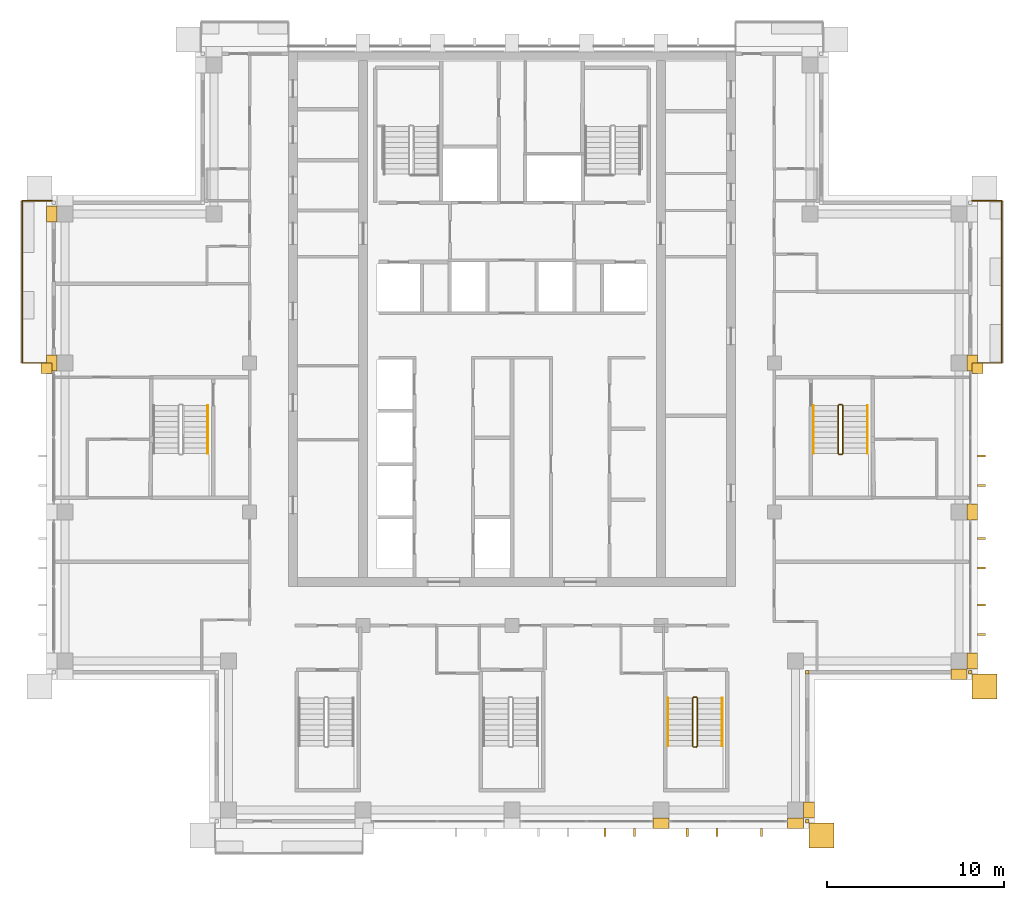
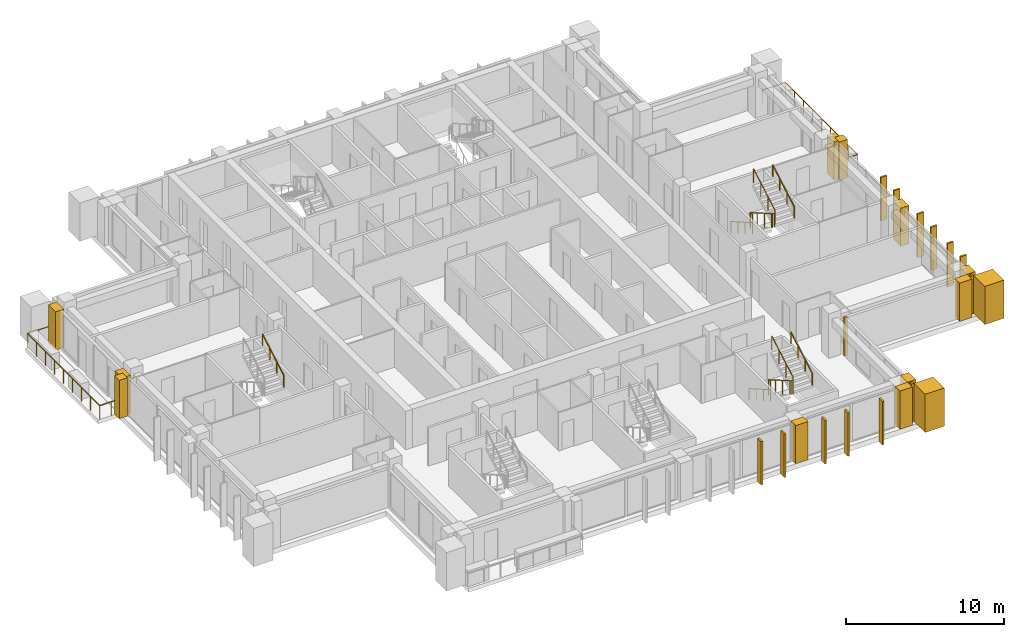
# One storey, part 16 of 18: 27 coverings, 9 railings.
"""IFC4 building model written with IfcOpenShell, lengths in metres."""

from ifc_helpers import new_model, si_unit, direction, frame, origin, origin_2d, place, context, subcontext, project, spatial, polyline, rectangle, outline, extrude, material, layer, layer_set, type_object, element, save


model = new_model("IFC4")

# Units and contexts
model_context = context("Model", 3, precision=1e-05, world=origin(), true_north=direction((0.0, 1.0)))
body_context = subcontext(model_context, "Body", "Model", "MODEL_VIEW")
ifc_project = project(units=[si_unit("LENGTHUNIT", "METRE"), si_unit("AREAUNIT", "SQUARE_METRE"), si_unit("VOLUMEUNIT", "CUBIC_METRE"), si_unit("PLANEANGLEUNIT", "RADIAN"), si_unit("MASSUNIT", "GRAM", prefix="KILO")], contexts=[model_context])

# Site, building, storey
site_placement = place(None, origin())
site = spatial("IfcSite", under=ifc_project, at=site_placement, CompositionType="ELEMENT")
building_placement = place(site_placement, origin())
building = spatial("IfcBuilding", under=site, at=building_placement, Name="Vermilion Ogive Tower", CompositionType="ELEMENT")
storey_placement = place(building_placement, frame((0.0, 0.0, 261.39990234375)))
storey = spatial("IfcBuildingStorey", under=building, at=storey_placement, Name="L69", CompositionType="ELEMENT", Elevation=261.39990234375)

# Railings
ifc_material_1 = material(Name="Stainless steel and glass", Category="steel")
railing_type_1 = type_object("IfcRailingType", Name="Balcony guard", PredefinedType="GUARDRAIL", material=ifc_material_1)
railing_1_placement = place(storey_placement, frame((25.949951171875, 4.199951171875, -0.039794921875)))
element("IfcRailing", 1, at=railing_1_placement, inside=storey, type_object=railing_type_1, Name="Guard E03", PredefinedType="GUARDRAIL", context=body_context, shape_type="SweptSolid", body=[
    extrude(rectangle(XDim=0.048095703125, YDim=0.048095703125, at=origin_2d()), frame((0.0, 0.0, 1.076171875), z_axis=(1.0, 0.0, 0.0), x_axis=(0.0, 1.0, 0.0)), (0.0, 0.0, 1.0), 1.677978515625),
    extrude(rectangle(XDim=0.048095703125, YDim=0.048095703125, at=origin_2d()), frame((1.677978515625, 0.0, 1.076171875), z_axis=(0.0, 1.0, 0.0), x_axis=(-1.0, 0.0, 0.0)), (0.0, 0.0, 1.0), 9.150146484375),
    extrude(rectangle(XDim=0.048095703125, YDim=0.048095703125, at=origin_2d()), frame((1.677978515625, 9.150146484375, 1.076171875), z_axis=(-1.0, 0.0, 0.0), x_axis=(0.0, -1.0, 0.0)), (0.0, 0.0, 1.0), 1.677978515625),
    extrude(rectangle(XDim=0.0419921875, YDim=0.0419921875, at=origin_2d()), origin(), (0.0, 0.0, 1.0), 1.052001953125),
    extrude(rectangle(XDim=0.0419921875, YDim=0.0419921875, at=origin_2d()), frame((0.8388671875, 0.0, 0.0)), (0.0, 0.0, 1.0), 1.052001953125),
    extrude(rectangle(XDim=0.0419921875, YDim=0.0419921875, at=origin_2d()), frame((1.677978515625, 0.0, 0.0)), (0.0, 0.0, 1.0), 1.052001953125),
    extrude(rectangle(XDim=0.0419921875, YDim=0.0419921875, at=origin_2d()), frame((1.677978515625, 1.143798828125, 0.0)), (0.0, 0.0, 1.0), 1.052001953125),
    extrude(rectangle(XDim=0.0419921875, YDim=0.0419921875, at=origin_2d()), frame((1.677978515625, 2.28759765625, 0.0)), (0.0, 0.0, 1.0), 1.052001953125),
    extrude(rectangle(XDim=0.0419921875, YDim=0.0419921875, at=origin_2d()), frame((1.677978515625, 3.431396484375, 0.0)), (0.0, 0.0, 1.0), 1.052001953125),
    extrude(rectangle(XDim=0.0419921875, YDim=0.0419921875, at=origin_2d()), frame((1.677978515625, 4.5751953125, 0.0)), (0.0, 0.0, 1.0), 1.052001953125),
    extrude(rectangle(XDim=0.0419921875, YDim=0.0419921875, at=origin_2d()), frame((1.677978515625, 5.71875, 0.0)), (0.0, 0.0, 1.0), 1.052001953125),
    extrude(rectangle(XDim=0.0419921875, YDim=0.0419921875, at=origin_2d()), frame((1.677978515625, 6.862548828125, 0.0)), (0.0, 0.0, 1.0), 1.052001953125),
    extrude(rectangle(XDim=0.0419921875, YDim=0.0419921875, at=origin_2d()), frame((1.677978515625, 8.00634765625, 0.0)), (0.0, 0.0, 1.0), 1.052001953125),
    extrude(rectangle(XDim=0.0419921875, YDim=0.0419921875, at=origin_2d()), frame((1.677978515625, 9.150146484375, 0.0)), (0.0, 0.0, 1.0), 1.052001953125),
    extrude(rectangle(XDim=0.0419921875, YDim=0.0419921875, at=origin_2d()), frame((0.8388671875, 9.150146484375, 0.0)), (0.0, 0.0, 1.0), 1.052001953125),
    extrude(rectangle(XDim=0.0419921875, YDim=0.0419921875, at=origin_2d()), frame((0.0, 9.150146484375, 0.0)), (0.0, 0.0, 1.0), 1.052001953125),
])
railing_2_placement = place(storey_placement, frame((-25.949951171875, 13.35009765625, -0.039794921875)))
element("IfcRailing", 2, at=railing_2_placement, inside=storey, type_object=railing_type_1, Name="Guard W01", PredefinedType="GUARDRAIL", context=body_context, shape_type="SweptSolid", body=[
    extrude(rectangle(XDim=0.048095703125, YDim=0.048095703125, at=origin_2d()), frame((0.0, 0.0, 1.076171875), z_axis=(-1.0, 0.0, 0.0), x_axis=(0.0, -1.0, 0.0)), (0.0, 0.0, 1.0), 1.677978515625),
    extrude(rectangle(XDim=0.048095703125, YDim=0.048095703125, at=origin_2d()), frame((-1.677978515625, 0.0, 1.076171875), z_axis=(0.0, -1.0, 0.0), x_axis=(1.0, 0.0, 0.0)), (0.0, 0.0, 1.0), 9.150146484375),
    extrude(rectangle(XDim=0.048095703125, YDim=0.048095703125, at=origin_2d()), frame((-1.677978515625, -9.150146484375, 1.076171875), z_axis=(1.0, 0.0, 0.0), x_axis=(0.0, 1.0, 0.0)), (0.0, 0.0, 1.0), 1.677978515625),
    extrude(rectangle(XDim=0.0419921875, YDim=0.0419921875, at=origin_2d()), origin(), (0.0, 0.0, 1.0), 1.052001953125),
    extrude(rectangle(XDim=0.0419921875, YDim=0.0419921875, at=origin_2d()), frame((-0.8388671875, 0.0, 0.0)), (0.0, 0.0, 1.0), 1.052001953125),
    extrude(rectangle(XDim=0.0419921875, YDim=0.0419921875, at=origin_2d()), frame((-1.677978515625, 0.0, 0.0)), (0.0, 0.0, 1.0), 1.052001953125),
    extrude(rectangle(XDim=0.0419921875, YDim=0.0419921875, at=origin_2d()), frame((-1.677978515625, -1.143798828125, 0.0)), (0.0, 0.0, 1.0), 1.052001953125),
    extrude(rectangle(XDim=0.0419921875, YDim=0.0419921875, at=origin_2d()), frame((-1.677978515625, -2.28759765625, 0.0)), (0.0, 0.0, 1.0), 1.052001953125),
    extrude(rectangle(XDim=0.0419921875, YDim=0.0419921875, at=origin_2d()), frame((-1.677978515625, -3.431396484375, 0.0)), (0.0, 0.0, 1.0), 1.052001953125),
    extrude(rectangle(XDim=0.0419921875, YDim=0.0419921875, at=origin_2d()), frame((-1.677978515625, -4.5751953125, 0.0)), (0.0, 0.0, 1.0), 1.052001953125),
    extrude(rectangle(XDim=0.0419921875, YDim=0.0419921875, at=origin_2d()), frame((-1.677978515625, -5.71875, 0.0)), (0.0, 0.0, 1.0), 1.052001953125),
    extrude(rectangle(XDim=0.0419921875, YDim=0.0419921875, at=origin_2d()), frame((-1.677978515625, -6.862548828125, 0.0)), (0.0, 0.0, 1.0), 1.052001953125),
    extrude(rectangle(XDim=0.0419921875, YDim=0.0419921875, at=origin_2d()), frame((-1.677978515625, -8.00634765625, 0.0)), (0.0, 0.0, 1.0), 1.052001953125),
    extrude(rectangle(XDim=0.0419921875, YDim=0.0419921875, at=origin_2d()), frame((-1.677978515625, -9.150146484375, 0.0)), (0.0, 0.0, 1.0), 1.052001953125),
    extrude(rectangle(XDim=0.0419921875, YDim=0.0419921875, at=origin_2d()), frame((-0.8388671875, -9.150146484375, 0.0)), (0.0, 0.0, 1.0), 1.052001953125),
    extrude(rectangle(XDim=0.0419921875, YDim=0.0419921875, at=origin_2d()), frame((0.0, -9.150146484375, 0.0)), (0.0, 0.0, 1.0), 1.052001953125),
])

# Coverings
ifc_material_2 = material(Name="Glazed ceramic screen")
ifc_layer = layer(ifc_material_2, 0.14990234375)
ifc_layer_set = layer_set([ifc_layer], Name="Ceramic solar screen fin")
covering_type_1 = type_object("IfcCoveringType", Name="Ceramic solar screen fin", PredefinedType="CLADDING", material=ifc_layer_set)
covering_1_placement = place(storey_placement, frame((0.0, 0.0, -0.39990234375)))
element("IfcCovering", 3, at=covering_1_placement, inside=storey, type_object=covering_type_1, Name="Solar screen blade S011", PredefinedType="CLADDING", context=body_context, shape_type="SweptSolid", body=[
    extrude(outline(polyline([(5.177490234375, -22.5), (5.297607421875, -22.5), (5.297607421875, -22.050048828125), (5.177490234375, -22.050048828125), (5.177490234375, -22.5)])), origin(), (0.0, 0.0, 1.0), 3.35009765625),
])
covering_2_placement = place(storey_placement, frame((0.0, 0.0, -0.39990234375)))
element("IfcCovering", 4, at=covering_2_placement, inside=storey, type_object=covering_type_1, Name="Solar screen blade S012", PredefinedType="CLADDING", context=body_context, shape_type="SweptSolid", body=[
    extrude(outline(polyline([(6.8525390625, -22.5), (6.972412109375, -22.5), (6.972412109375, -22.050048828125), (6.8525390625, -22.050048828125), (6.8525390625, -22.5)])), origin(), (0.0, 0.0, 1.0), 3.35009765625),
])
covering_3_placement = place(storey_placement, frame((0.0, 0.0, -0.39990234375)))
element("IfcCovering", 5, at=covering_3_placement, inside=storey, type_object=covering_type_1, Name="Solar screen blade S021", PredefinedType="CLADDING", context=body_context, shape_type="SweptSolid", body=[
    extrude(outline(polyline([(9.827392578125, -22.5), (9.947509765625, -22.5), (9.947509765625, -22.050048828125), (9.827392578125, -22.050048828125), (9.827392578125, -22.5)])), origin(), (0.0, 0.0, 1.0), 3.35009765625),
])
covering_4_placement = place(storey_placement, frame((0.0, 0.0, -0.39990234375)))
element("IfcCovering", 6, at=covering_4_placement, inside=storey, type_object=covering_type_1, Name="Solar screen blade S022", PredefinedType="CLADDING", context=body_context, shape_type="SweptSolid", body=[
    extrude(outline(polyline([(11.50244140625, -22.5), (11.62255859375, -22.5), (11.62255859375, -22.050048828125), (11.50244140625, -22.050048828125), (11.50244140625, -22.5)])), origin(), (0.0, 0.0, 1.0), 3.35009765625),
])
covering_5_placement = place(storey_placement, frame((0.0, 0.0, -0.39990234375)))
element("IfcCovering", 7, at=covering_5_placement, inside=storey, type_object=covering_type_1, Name="Solar screen blade S031", PredefinedType="CLADDING", context=body_context, shape_type="SweptSolid", body=[
    extrude(outline(polyline([(14.014892578125, -22.5), (14.135009765625, -22.5), (14.135009765625, -22.050048828125), (14.014892578125, -22.050048828125), (14.014892578125, -22.5)])), origin(), (0.0, 0.0, 1.0), 3.35009765625),
])
covering_6_placement = place(storey_placement, frame((0.0, 0.0, -0.39990234375)))
element("IfcCovering", 8, at=covering_6_placement, inside=storey, type_object=covering_type_1, Name="Solar screen blade E971", PredefinedType="CLADDING", context=body_context, shape_type="SweptSolid", body=[
    extrude(outline(polyline([(26.699951171875, -11.172607421875), (26.699951171875, -11.052490234375), (26.25, -11.052490234375), (26.25, -11.172607421875), (26.699951171875, -11.172607421875)])), origin(), (0.0, 0.0, 1.0), 3.35009765625),
])
covering_7_placement = place(storey_placement, frame((0.0, 0.0, -0.39990234375)))
element("IfcCovering", 9, at=covering_7_placement, inside=storey, type_object=covering_type_1, Name="Solar screen blade E972", PredefinedType="CLADDING", context=body_context, shape_type="SweptSolid", body=[
    extrude(outline(polyline([(26.699951171875, -9.49755859375), (26.699951171875, -9.37744140625), (26.25, -9.37744140625), (26.25, -9.49755859375), (26.699951171875, -9.49755859375)])), origin(), (0.0, 0.0, 1.0), 3.35009765625),
])
covering_8_placement = place(storey_placement, frame((0.0, 0.0, -0.39990234375)))
element("IfcCovering", 10, at=covering_8_placement, inside=storey, type_object=covering_type_1, Name="Solar screen blade E981", PredefinedType="CLADDING", context=body_context, shape_type="SweptSolid", body=[
    extrude(outline(polyline([(26.699951171875, -7.422607421875), (26.699951171875, -7.302490234375), (26.25, -7.302490234375), (26.25, -7.422607421875), (26.699951171875, -7.422607421875)])), origin(), (0.0, 0.0, 1.0), 3.35009765625),
])
covering_9_placement = place(storey_placement, frame((0.0, 0.0, -0.39990234375)))
element("IfcCovering", 11, at=covering_9_placement, inside=storey, type_object=covering_type_1, Name="Solar screen blade E982", PredefinedType="CLADDING", context=body_context, shape_type="SweptSolid", body=[
    extrude(outline(polyline([(26.699951171875, -5.74755859375), (26.699951171875, -5.62744140625), (26.25, -5.62744140625), (26.25, -5.74755859375), (26.699951171875, -5.74755859375)])), origin(), (0.0, 0.0, 1.0), 3.35009765625),
])
covering_10_placement = place(storey_placement, frame((0.0, 0.0, -0.39990234375)))
element("IfcCovering", 12, at=covering_10_placement, inside=storey, type_object=covering_type_1, Name="Solar screen blade E991", PredefinedType="CLADDING", context=body_context, shape_type="SweptSolid", body=[
    extrude(outline(polyline([(26.699951171875, -2.7724609375), (26.699951171875, -2.652587890625), (26.25, -2.652587890625), (26.25, -2.7724609375), (26.699951171875, -2.7724609375)])), origin(), (0.0, 0.0, 1.0), 3.35009765625),
])
covering_11_placement = place(storey_placement, frame((0.0, 0.0, -0.39990234375)))
element("IfcCovering", 13, at=covering_11_placement, inside=storey, type_object=covering_type_1, Name="Solar screen blade E992", PredefinedType="CLADDING", context=body_context, shape_type="SweptSolid", body=[
    extrude(outline(polyline([(26.699951171875, -1.097412109375), (26.699951171875, -0.9775390625), (26.25, -0.9775390625), (26.25, -1.097412109375), (26.699951171875, -1.097412109375)])), origin(), (0.0, 0.0, 1.0), 3.35009765625),
])

# Railings
ifc_material_3 = material(Name="Steel S355 painted", Category="steel")
railing_type_2 = type_object("IfcRailingType", Name="Stair guard 1100", PredefinedType="GUARDRAIL", material=ifc_material_3)
railing_3_placement = place(storey_placement, frame((10.39990234375, -14.64990234375, 0.0)))
element("IfcRailing", 14, at=railing_3_placement, inside=storey, type_object=railing_type_2, Name="L69 ST5 stair guard 4", PredefinedType="GUARDRAIL", context=body_context, shape_type="SweptSolid", body=[
    extrude(rectangle(XDim=0.048095703125, YDim=0.048095703125, at=origin_2d()), frame((0.0, 0.0, 1.076171875), z_axis=(-1.0, 0.0, 0.0), x_axis=(0.0, -1.0, 0.0)), (0.0, 0.0, 1.0), 0.14990234375),
    extrude(rectangle(XDim=0.048095703125, YDim=0.048095703125, at=origin_2d()), frame((-0.14990234375, 0.0, 1.076171875), z_axis=(-0.268277960024, -0.268277960024, 0.925231793839), x_axis=(0.707106781187, -0.707106781187, 0.0)), (0.0, 0.0, 1.0), 0.1865234375),
    extrude(rectangle(XDim=0.048095703125, YDim=0.048095703125, at=origin_2d()), frame((-0.199951171875, -0.050048828125, 1.24853515625), z_axis=(0.0, -0.866903762492, 0.498475542607), x_axis=(1.0, 0.0, 0.0)), (0.0, 0.0, 1.0), 3.114501953125),
    extrude(rectangle(XDim=0.048095703125, YDim=0.048095703125, at=origin_2d()), frame((-0.199951171875, -2.75, 2.80126953125), z_axis=(0.707106781187, -0.707106781187, 0.0), x_axis=(0.707106781187, 0.707106781187, 0.0)), (0.0, 0.0, 1.0), 0.07080078125),
    extrude(rectangle(XDim=0.048095703125, YDim=0.048095703125, at=origin_2d()), frame((-0.14990234375, -2.800048828125, 2.80126953125), z_axis=(1.0, 0.0, 0.0), x_axis=(0.0, 1.0, 0.0)), (0.0, 0.0, 1.0), 0.14990234375),
    extrude(rectangle(XDim=0.048095703125, YDim=0.048095703125, at=origin_2d()), frame((0.0, -2.800048828125, 2.80126953125), z_axis=(0.268277960024, 0.268277960024, 0.925231793839), x_axis=(-0.707106781187, 0.707106781187, 0.0)), (0.0, 0.0, 1.0), 0.1865234375),
    extrude(rectangle(XDim=0.048095703125, YDim=0.048095703125, at=origin_2d()), frame((0.050048828125, -2.75, 2.9736328125), z_axis=(0.0, 0.866903762492, 0.498475542607), x_axis=(-1.0, 0.0, 0.0)), (0.0, 0.0, 1.0), 3.114501953125),
    extrude(rectangle(XDim=0.0419921875, YDim=0.0419921875, at=origin_2d()), origin(), (0.0, 0.0, 1.0), 1.052001953125),
    extrude(rectangle(XDim=0.0419921875, YDim=0.0419921875, at=origin_2d()), frame((-0.14990234375, 0.0, 0.0)), (0.0, 0.0, 1.0), 1.052001953125),
    extrude(rectangle(XDim=0.0419921875, YDim=0.0419921875, at=origin_2d()), frame((-0.199951171875, -0.050048828125, 0.172607421875)), (0.0, 0.0, 1.0), 1.052001953125),
    extrude(rectangle(XDim=0.0419921875, YDim=0.0419921875, at=origin_2d()), frame((-0.199951171875, -0.949951171875, 0.690185546875)), (0.0, 0.0, 1.0), 1.052001953125),
    extrude(rectangle(XDim=0.0419921875, YDim=0.0419921875, at=origin_2d()), frame((-0.199951171875, -1.85009765625, 1.20751953125)), (0.0, 0.0, 1.0), 1.052001953125),
    extrude(rectangle(XDim=0.0419921875, YDim=0.0419921875, at=origin_2d()), frame((-0.199951171875, -2.75, 1.72509765625)), (0.0, 0.0, 1.0), 1.052001953125),
    extrude(rectangle(XDim=0.0419921875, YDim=0.0419921875, at=origin_2d()), frame((-0.14990234375, -2.800048828125, 1.72509765625)), (0.0, 0.0, 1.0), 1.052001953125),
    extrude(rectangle(XDim=0.0419921875, YDim=0.0419921875, at=origin_2d()), frame((0.0, -2.800048828125, 1.72509765625)), (0.0, 0.0, 1.0), 1.052001953125),
    extrude(rectangle(XDim=0.0419921875, YDim=0.0419921875, at=origin_2d()), frame((0.050048828125, -2.75, 1.897705078125)), (0.0, 0.0, 1.0), 1.052001953125),
    extrude(rectangle(XDim=0.0419921875, YDim=0.0419921875, at=origin_2d()), frame((0.050048828125, -1.85009765625, 2.415283203125)), (0.0, 0.0, 1.0), 1.052001953125),
    extrude(rectangle(XDim=0.0419921875, YDim=0.0419921875, at=origin_2d()), frame((0.050048828125, -0.949951171875, 2.9326171875)), (0.0, 0.0, 1.0), 1.052001953125),
    extrude(rectangle(XDim=0.0419921875, YDim=0.0419921875, at=origin_2d()), frame((0.050048828125, -0.050048828125, 3.4501953125)), (0.0, 0.0, 1.0), 1.052001953125),
])
railing_4_placement = place(storey_placement, frame((18.60009765625, 1.85009765625, 0.0)))
element("IfcRailing", 15, at=railing_4_placement, inside=storey, type_object=railing_type_2, Name="L69 ST8 stair guard 4", PredefinedType="GUARDRAIL", context=body_context, shape_type="SweptSolid", body=[
    extrude(rectangle(XDim=0.048095703125, YDim=0.048095703125, at=origin_2d()), frame((0.0, 0.0, 1.076171875), z_axis=(-1.0, 0.0, 0.0), x_axis=(0.0, -1.0, 0.0)), (0.0, 0.0, 1.0), 0.150146484375),
    extrude(rectangle(XDim=0.048095703125, YDim=0.048095703125, at=origin_2d()), frame((-0.150146484375, 0.0, 1.076171875), z_axis=(-0.268277960024, -0.268277960024, 0.925231793839), x_axis=(0.707106781187, -0.707106781187, 0.0)), (0.0, 0.0, 1.0), 0.1865234375),
    extrude(rectangle(XDim=0.048095703125, YDim=0.048095703125, at=origin_2d()), frame((-0.2001953125, -0.050048828125, 1.24853515625), z_axis=(0.0, -0.866903762492, 0.498475542607), x_axis=(1.0, 0.0, 0.0)), (0.0, 0.0, 1.0), 3.114501953125),
    extrude(rectangle(XDim=0.048095703125, YDim=0.048095703125, at=origin_2d()), frame((-0.2001953125, -2.75, 2.80126953125), z_axis=(0.707106781187, -0.707106781187, 0.0), x_axis=(0.707106781187, 0.707106781187, 0.0)), (0.0, 0.0, 1.0), 0.07080078125),
    extrude(rectangle(XDim=0.048095703125, YDim=0.048095703125, at=origin_2d()), frame((-0.150146484375, -2.800048828125, 2.80126953125), z_axis=(1.0, 0.0, 0.0), x_axis=(0.0, 1.0, 0.0)), (0.0, 0.0, 1.0), 0.150146484375),
    extrude(rectangle(XDim=0.048095703125, YDim=0.048095703125, at=origin_2d()), frame((0.0, -2.800048828125, 2.80126953125), z_axis=(0.267062837333, 0.268371968888, 0.925556009775), x_axis=(-0.708833529934, 0.705375805398, 0.0)), (0.0, 0.0, 1.0), 0.1865234375),
    extrude(rectangle(XDim=0.048095703125, YDim=0.048095703125, at=origin_2d()), frame((0.0498046875, -2.75, 2.9736328125), z_axis=(0.0, 0.866903762492, 0.498475542607), x_axis=(-1.0, 0.0, 0.0)), (0.0, 0.0, 1.0), 3.114501953125),
    extrude(rectangle(XDim=0.0419921875, YDim=0.0419921875, at=origin_2d()), origin(), (0.0, 0.0, 1.0), 1.052001953125),
    extrude(rectangle(XDim=0.0419921875, YDim=0.0419921875, at=origin_2d()), frame((-0.150146484375, 0.0, 0.0)), (0.0, 0.0, 1.0), 1.052001953125),
    extrude(rectangle(XDim=0.0419921875, YDim=0.0419921875, at=origin_2d()), frame((-0.2001953125, -0.050048828125, 0.172607421875)), (0.0, 0.0, 1.0), 1.052001953125),
    extrude(rectangle(XDim=0.0419921875, YDim=0.0419921875, at=origin_2d()), frame((-0.2001953125, -0.949951171875, 0.690185546875)), (0.0, 0.0, 1.0), 1.052001953125),
    extrude(rectangle(XDim=0.0419921875, YDim=0.0419921875, at=origin_2d()), frame((-0.2001953125, -1.85009765625, 1.20751953125)), (0.0, 0.0, 1.0), 1.052001953125),
    extrude(rectangle(XDim=0.0419921875, YDim=0.0419921875, at=origin_2d()), frame((-0.2001953125, -2.75, 1.72509765625)), (0.0, 0.0, 1.0), 1.052001953125),
    extrude(rectangle(XDim=0.0419921875, YDim=0.0419921875, at=origin_2d()), frame((-0.150146484375, -2.800048828125, 1.72509765625)), (0.0, 0.0, 1.0), 1.052001953125),
    extrude(rectangle(XDim=0.0419921875, YDim=0.0419921875, at=origin_2d()), frame((0.0, -2.800048828125, 1.72509765625)), (0.0, 0.0, 1.0), 1.052001953125),
    extrude(rectangle(XDim=0.0419921875, YDim=0.0419921875, at=origin_2d()), frame((0.0498046875, -2.75, 1.897705078125)), (0.0, 0.0, 1.0), 1.052001953125),
    extrude(rectangle(XDim=0.0419921875, YDim=0.0419921875, at=origin_2d()), frame((0.0498046875, -1.85009765625, 2.415283203125)), (0.0, 0.0, 1.0), 1.052001953125),
    extrude(rectangle(XDim=0.0419921875, YDim=0.0419921875, at=origin_2d()), frame((0.0498046875, -0.949951171875, 2.9326171875)), (0.0, 0.0, 1.0), 1.052001953125),
    extrude(rectangle(XDim=0.0419921875, YDim=0.0419921875, at=origin_2d()), frame((0.0498046875, -0.050048828125, 3.4501953125)), (0.0, 0.0, 1.0), 1.052001953125),
])
ifc_material_4 = material(Name="Stainless steel", Category="steel")
railing_type_3 = type_object("IfcRailingType", Name="Stair handrail 900", PredefinedType="HANDRAIL", material=ifc_material_4)
railing_5_placement = place(storey_placement, frame((8.800048828125, -14.699951171875, 0.172607421875)))
element("IfcRailing", 16, at=railing_5_placement, inside=storey, type_object=railing_type_3, Name="L69 ST5 stair handrail 1", PredefinedType="HANDRAIL", context=body_context, shape_type="SweptSolid", body=[
    extrude(rectangle(XDim=0.048095703125, YDim=0.048095703125, at=origin_2d()), frame((0.0, 0.0, 0.8759765625), z_axis=(0.0, -0.866903762492, 0.498475542607), x_axis=(1.0, 0.0, 0.0)), (0.0, 0.0, 1.0), 3.114501953125),
    extrude(rectangle(XDim=0.0419921875, YDim=0.0419921875, at=origin_2d()), origin(), (0.0, 0.0, 1.0), 0.851806640625),
    extrude(rectangle(XDim=0.0419921875, YDim=0.0419921875, at=origin_2d()), frame((0.0, -0.89990234375, 0.517578125)), (0.0, 0.0, 1.0), 0.851806640625),
    extrude(rectangle(XDim=0.0419921875, YDim=0.0419921875, at=origin_2d()), frame((0.0, -1.800048828125, 1.034912109375)), (0.0, 0.0, 1.0), 0.851806640625),
    extrude(rectangle(XDim=0.0419921875, YDim=0.0419921875, at=origin_2d()), frame((0.0, -2.699951171875, 1.552490234375)), (0.0, 0.0, 1.0), 0.851806640625),
])
railing_6_placement = place(storey_placement, frame((11.85009765625, -17.39990234375, 1.897705078125)))
element("IfcRailing", 17, at=railing_6_placement, inside=storey, type_object=railing_type_3, Name="L69 ST5 stair handrail 2", PredefinedType="HANDRAIL", context=body_context, shape_type="SweptSolid", body=[
    extrude(rectangle(XDim=0.048095703125, YDim=0.048095703125, at=origin_2d()), frame((0.0, 0.0, 0.8759765625), z_axis=(0.0, 0.866903762492, 0.498475542607), x_axis=(-1.0, 0.0, 0.0)), (0.0, 0.0, 1.0), 3.114501953125),
    extrude(rectangle(XDim=0.0419921875, YDim=0.0419921875, at=origin_2d()), origin(), (0.0, 0.0, 1.0), 0.851806640625),
    extrude(rectangle(XDim=0.0419921875, YDim=0.0419921875, at=origin_2d()), frame((0.0, 0.89990234375, 0.517578125)), (0.0, 0.0, 1.0), 0.851806640625),
    extrude(rectangle(XDim=0.0419921875, YDim=0.0419921875, at=origin_2d()), frame((0.0, 1.800048828125, 1.034912109375)), (0.0, 0.0, 1.0), 0.851806640625),
    extrude(rectangle(XDim=0.0419921875, YDim=0.0419921875, at=origin_2d()), frame((0.0, 2.699951171875, 1.552490234375)), (0.0, 0.0, 1.0), 0.851806640625),
])
railing_7_placement = place(storey_placement, frame((17.0, 1.800048828125, 0.172607421875)))
element("IfcRailing", 18, at=railing_7_placement, inside=storey, type_object=railing_type_3, Name="L69 ST8 stair handrail 1", PredefinedType="HANDRAIL", context=body_context, shape_type="SweptSolid", body=[
    extrude(rectangle(XDim=0.048095703125, YDim=0.048095703125, at=origin_2d()), frame((0.0, 0.0, 0.8759765625), z_axis=(0.0, -0.866903762492, 0.498475542607), x_axis=(1.0, 0.0, 0.0)), (0.0, 0.0, 1.0), 3.114501953125),
    extrude(rectangle(XDim=0.0419921875, YDim=0.0419921875, at=origin_2d()), origin(), (0.0, 0.0, 1.0), 0.851806640625),
    extrude(rectangle(XDim=0.0419921875, YDim=0.0419921875, at=origin_2d()), frame((0.0, -0.89990234375, 0.517578125)), (0.0, 0.0, 1.0), 0.851806640625),
    extrude(rectangle(XDim=0.0419921875, YDim=0.0419921875, at=origin_2d()), frame((0.0, -1.800048828125, 1.034912109375)), (0.0, 0.0, 1.0), 0.851806640625),
    extrude(rectangle(XDim=0.0419921875, YDim=0.0419921875, at=origin_2d()), frame((0.0, -2.699951171875, 1.552490234375)), (0.0, 0.0, 1.0), 0.851806640625),
])
for number, where, name in (
    (19, (20.050048828125, -0.89990234375, 1.897705078125), "L69 ST8 stair handrail 2"),
    (20, (-17.14990234375, -0.89990234375, 1.897705078125), "L69 ST9 stair handrail 2"),
):
    element("IfcRailing", number, at=place(storey_placement, frame(where)), inside=storey, type_object=railing_type_3, Name=name, PredefinedType="HANDRAIL", context=body_context, shape_type="SweptSolid", body=[
        extrude(rectangle(XDim=0.048095703125, YDim=0.048095703125, at=origin_2d()), frame((0.0, 0.0, 0.8759765625), z_axis=(0.0, 0.866903762492, 0.498475542607), x_axis=(-1.0, 0.0, 0.0)), (0.0, 0.0, 1.0), 3.114501953125),
        extrude(rectangle(XDim=0.0419921875, YDim=0.0419921875, at=origin_2d()), origin(), (0.0, 0.0, 1.0), 0.851806640625),
        extrude(rectangle(XDim=0.0419921875, YDim=0.0419921875, at=origin_2d()), frame((0.0, 0.89990234375, 0.517578125)), (0.0, 0.0, 1.0), 0.851806640625),
        extrude(rectangle(XDim=0.0419921875, YDim=0.0419921875, at=origin_2d()), frame((0.0, 1.800048828125, 1.034912109375)), (0.0, 0.0, 1.0), 0.851806640625),
        extrude(rectangle(XDim=0.0419921875, YDim=0.0419921875, at=origin_2d()), frame((0.0, 2.699951171875, 1.552490234375)), (0.0, 0.0, 1.0), 0.851806640625),
    ])

# Coverings
ifc_material_5 = material(Name="Stone cladding", Category="masonry")
covering_type_2 = type_object("IfcCoveringType", Name="Stone corner buttress", PredefinedType="CLADDING", material=ifc_material_5)
covering_12_placement = place(storey_placement, origin())
element("IfcCovering", 21, at=covering_12_placement, inside=storey, type_object=covering_type_2, Name="Stone crease pier EK", PredefinedType="CLADDING", context=body_context, shape_type="SweptSolid", body=[
    extrude(outline(polyline([(26.550048828125, 3.60009765625), (26.550048828125, 4.199951171875), (25.949951171875, 4.199951171875), (25.949951171875, 3.60009765625), (26.550048828125, 3.60009765625)])), origin(), (0.0, 0.0, 1.0), 2.9501953125),
])
covering_13_placement = place(storey_placement, origin())
element("IfcCovering", 22, at=covering_13_placement, inside=storey, type_object=covering_type_2, Name="Stone crease pier WK", PredefinedType="CLADDING", context=body_context, shape_type="SweptSolid", body=[
    extrude(outline(polyline([(-26.550048828125, 4.199951171875), (-26.550048828125, 3.60009765625), (-25.949951171875, 3.60009765625), (-25.949951171875, 4.199951171875), (-26.550048828125, 4.199951171875)])), origin(), (0.0, 0.0, 1.0), 2.9501953125),
])
covering_14_placement = place(storey_placement, origin())
element("IfcCovering", 23, at=covering_14_placement, inside=storey, type_object=covering_type_2, Name="Stone corner buttress X11", PredefinedType="CLADDING", context=body_context, shape_type="SweptSolid", body=[
    extrude(outline(polyline([(18.14990234375, -23.14990234375), (16.75, -23.14990234375), (16.75, -21.75), (18.14990234375, -21.75), (18.14990234375, -23.14990234375)])), origin(), (0.0, 0.0, 1.0), 2.9501953125),
])
covering_15_placement = place(storey_placement, origin())
element("IfcCovering", 24, at=covering_15_placement, inside=storey, type_object=covering_type_2, Name="Stone corner buttress E1", PredefinedType="CLADDING", context=body_context, shape_type="SweptSolid", body=[
    extrude(outline(polyline([(27.35009765625, -14.75), (25.949951171875, -14.75), (25.949951171875, -13.35009765625), (27.35009765625, -13.35009765625), (27.35009765625, -14.75)])), origin(), (0.0, 0.0, 1.0), 2.9501953125),
])
ifc_material_6 = material(Name="Stone cladding", Category="masonry")
covering_type_3 = type_object("IfcCoveringType", Name="Stone pier", PredefinedType="CLADDING", material=ifc_material_6)
covering_16_placement = place(storey_placement, origin())
element("IfcCovering", 25, at=covering_16_placement, inside=storey, type_object=covering_type_3, Name="Stone pier P+0084-210", PredefinedType="CLADDING", context=body_context, shape_type="SweptSolid", body=[
    extrude(outline(polyline([(8.85009765625, -21.449951171875), (8.85009765625, -22.050048828125), (7.949951171875, -22.050048828125), (7.949951171875, -21.449951171875), (7.949951171875, -21.449951171875), (8.85009765625, -21.449951171875)])), origin(), (0.0, 0.0, 1.0), 2.9501953125),
])
covering_17_placement = place(storey_placement, origin())
element("IfcCovering", 26, at=covering_17_placement, inside=storey, type_object=covering_type_3, Name="Stone pier P+0160-210S", PredefinedType="CLADDING", context=body_context, shape_type="SweptSolid", body=[
    extrude(outline(polyline([(16.449951171875, -21.449951171875), (16.449951171875, -21.449951171875), (16.449951171875, -22.050048828125), (15.550048828125, -22.050048828125), (15.550048828125, -21.449951171875), (15.550048828125, -21.449951171875), (16.449951171875, -21.449951171875)])), origin(), (0.0, 0.0, 1.0), 2.9501953125),
])
covering_18_placement = place(storey_placement, origin())
element("IfcCovering", 27, at=covering_18_placement, inside=storey, type_object=covering_type_3, Name="Stone pier P+0160-210X1", PredefinedType="CLADDING", context=body_context, shape_type="SweptSolid", body=[
    extrude(outline(polyline([(17.050048828125, -21.449951171875), (16.449951171875, -21.449951171875), (16.449951171875, -21.449951171875), (16.449951171875, -20.550048828125), (17.050048828125, -20.550048828125), (17.050048828125, -21.449951171875)])), origin(), (0.0, 0.0, 1.0), 2.9501953125),
])
covering_19_placement = place(storey_placement, origin())
element("IfcCovering", 28, at=covering_19_placement, inside=storey, type_object=covering_type_3, Name="Stone pier P+0252+042", PredefinedType="CLADDING", context=body_context, shape_type="SweptSolid", body=[
    extrude(outline(polyline([(26.25, 4.64990234375), (26.25, 4.199951171875), (25.949951171875, 4.199951171875), (25.949951171875, 3.75), (25.64990234375, 3.75), (25.64990234375, 4.64990234375), (26.25, 4.64990234375)])), origin(), (0.0, 0.0, 1.0), 2.9501953125),
])
covering_20_placement = place(storey_placement, origin())
element("IfcCovering", 29, at=covering_20_placement, inside=storey, type_object=covering_type_3, Name="Stone pier P+0252-042", PredefinedType="CLADDING", context=body_context, shape_type="SweptSolid", body=[
    extrude(outline(polyline([(26.25, -3.75), (26.25, -4.64990234375), (25.64990234375, -4.64990234375), (25.64990234375, -3.75), (26.25, -3.75)])), origin(), (0.0, 0.0, 1.0), 2.9501953125),
])
covering_21_placement = place(storey_placement, origin())
element("IfcCovering", 30, at=covering_21_placement, inside=storey, type_object=covering_type_3, Name="Stone pier P+0252-126X2", PredefinedType="CLADDING", context=body_context, shape_type="SweptSolid", body=[
    extrude(outline(polyline([(25.64990234375, -13.64990234375), (24.75, -13.64990234375), (24.75, -13.050048828125), (25.64990234375, -13.050048828125), (25.64990234375, -13.64990234375)])), origin(), (0.0, 0.0, 1.0), 2.9501953125),
])
covering_22_placement = place(storey_placement, origin())
element("IfcCovering", 31, at=covering_22_placement, inside=storey, type_object=covering_type_3, Name="Stone pier P+0252-126E", PredefinedType="CLADDING", context=body_context, shape_type="SweptSolid", body=[
    extrude(outline(polyline([(26.25, -13.050048828125), (25.64990234375, -13.050048828125), (25.64990234375, -12.14990234375), (26.25, -12.14990234375), (26.25, -13.050048828125)])), origin(), (0.0, 0.0, 1.0), 2.9501953125),
])
covering_23_placement = place(storey_placement, origin())
element("IfcCovering", 32, at=covering_23_placement, inside=storey, type_object=covering_type_3, Name="Stone pier P-0252+042", PredefinedType="CLADDING", context=body_context, shape_type="SweptSolid", body=[
    extrude(outline(polyline([(-25.949951171875, 3.75), (-25.949951171875, 4.199951171875), (-26.25, 4.199951171875), (-26.25, 4.64990234375), (-25.64990234375, 4.64990234375), (-25.64990234375, 3.75), (-25.949951171875, 3.75)])), origin(), (0.0, 0.0, 1.0), 2.9501953125),
])
covering_24_placement = place(storey_placement, origin())
element("IfcCovering", 33, at=covering_24_placement, inside=storey, type_object=covering_type_3, Name="Stone pier P-0252+126W", PredefinedType="CLADDING", context=body_context, shape_type="SweptSolid", body=[
    extrude(outline(polyline([(-26.25, 13.050048828125), (-25.64990234375, 13.050048828125), (-25.64990234375, 12.14990234375), (-26.25, 12.14990234375), (-26.25, 13.050048828125)])), origin(), (0.0, 0.0, 1.0), 2.9501953125),
])
covering_25_placement = place(storey_placement, origin())
element("IfcCovering", 34, at=covering_25_placement, inside=storey, type_object=covering_type_3, Name="Stone corner pier SE1", PredefinedType="CLADDING", context=body_context, shape_type="SweptSolid", body=[
    extrude(outline(polyline([(16.550048828125, -21.550048828125), (16.75, -21.550048828125), (16.75, -21.75), (16.550048828125, -21.75), (16.550048828125, -21.550048828125)])), origin(), (0.0, 0.0, 1.0), 2.9501953125),
])
covering_26_placement = place(storey_placement, origin())
element("IfcCovering", 35, at=covering_26_placement, inside=storey, type_object=covering_type_3, Name="Stone corner pier X1E1", PredefinedType="CLADDING", context=body_context, shape_type="SweptSolid", body=[
    extrude(outline(polyline([(16.550048828125, -13.14990234375), (16.75, -13.14990234375), (16.75, -13.35009765625), (16.550048828125, -13.35009765625), (16.550048828125, -13.14990234375)])), origin(), (0.0, 0.0, 1.0), 2.9501953125),
])
covering_27_placement = place(storey_placement, origin())
element("IfcCovering", 36, at=covering_27_placement, inside=storey, type_object=covering_type_3, Name="Stone corner pier X2E1", PredefinedType="CLADDING", context=body_context, shape_type="SweptSolid", body=[
    extrude(outline(polyline([(25.75, -13.14990234375), (25.949951171875, -13.14990234375), (25.949951171875, -13.35009765625), (25.75, -13.35009765625), (25.75, -13.14990234375)])), origin(), (0.0, 0.0, 1.0), 2.9501953125),
])

save(model, "model.ifc")
